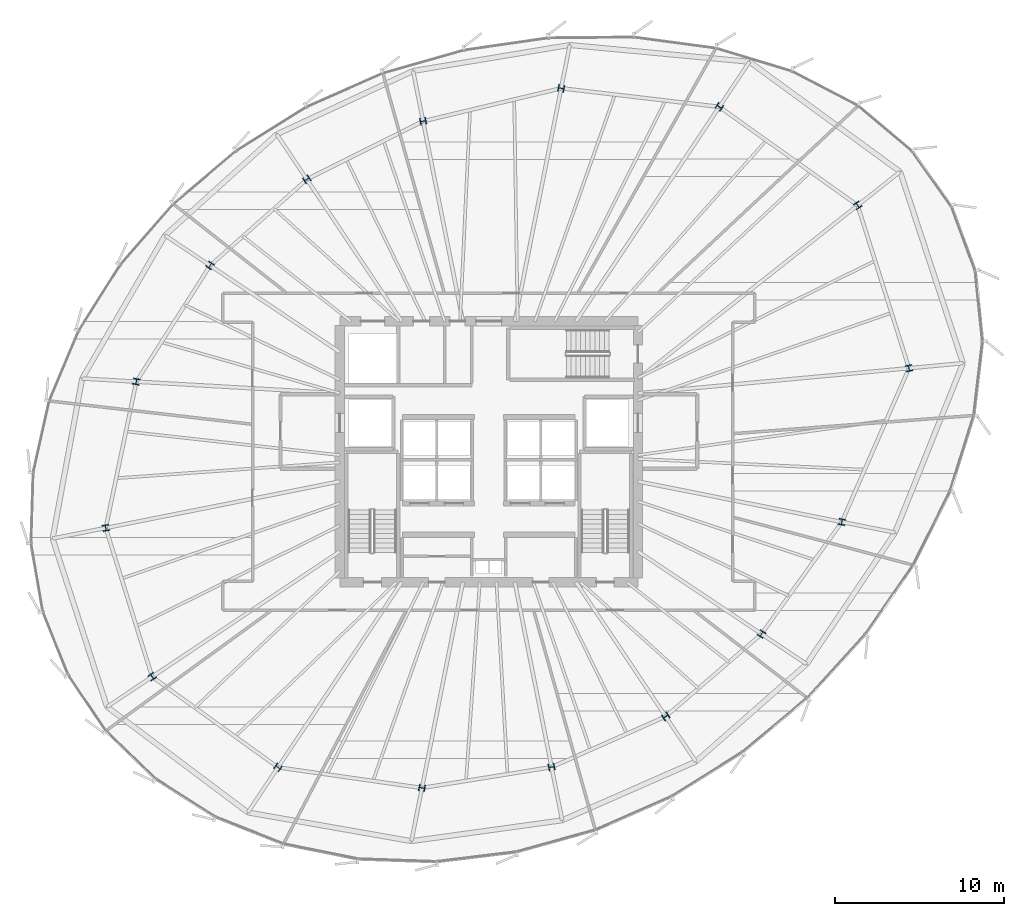
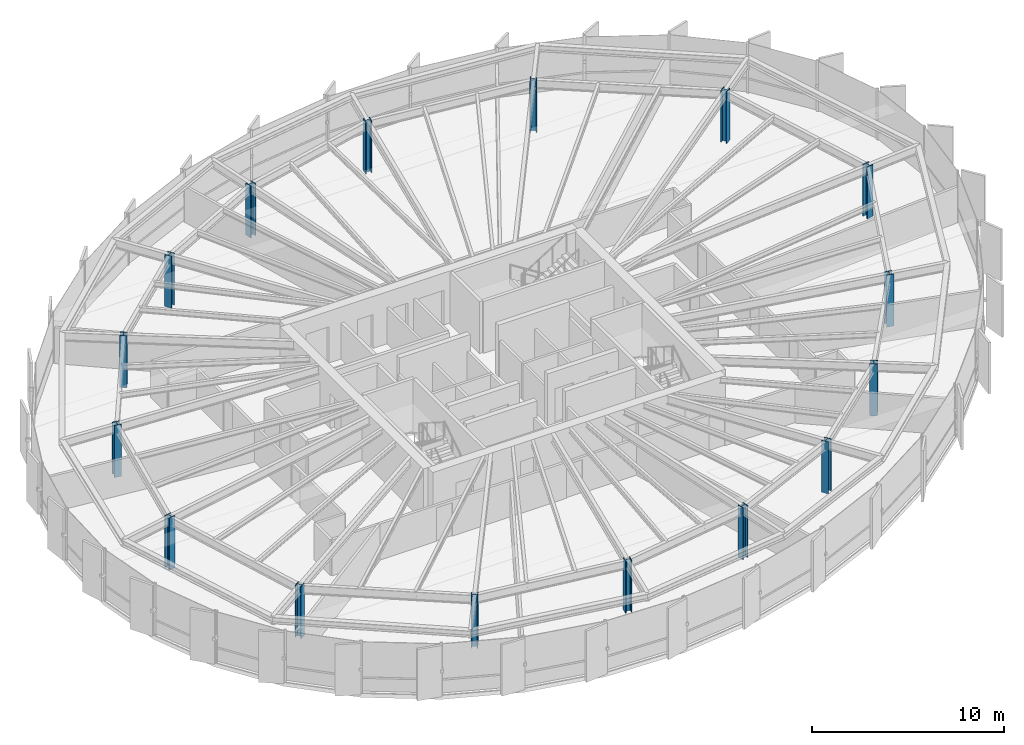
# One storey, part 1 of 35: 16 columns.
"""IFC4 building model written with IfcOpenShell, lengths in metres."""

import ifcopenshell
import ifcopenshell.guid

model = None  # the IFC model being written
_history = None  # IfcOwnerHistory: only IFC2X3 demands one
_inside = {}  # id of a spatial element -> (the spatial element, [elements in it])
_under = {}  # id of a project, library or spatial element -> (it, [spatial elements below it])
_declared = {}  # id of a project -> (the project, [libraries it declares])
_typed = {}  # id of a type object -> (the type object, [elements of that type])
_made_of = {}  # id of a material, layer set ... -> (it, [elements and type objects made of it])


def new_model(schema):
    """Start an empty IFC model of exactly this schema.

    Asked for "IFC4X3", IfcOpenShell would pick the latest addendum, in which some entities
    have other attributes; the version numbers below select the first issue.
    IFC2X3 requires an IfcOwnerHistory on every rooted entity: one is made here for all.
    """
    global model, _history
    if schema == "IFC4X3":
        model = ifcopenshell.file(schema_version=(4, 3, 0, 0))
    else:
        model = ifcopenshell.file(schema=schema)
    _inside.clear()
    _under.clear()
    _declared.clear()
    _typed.clear()
    _made_of.clear()
    _history = None
    if model.schema == "IFC2X3":
        org = make("IfcOrganization", Name="unknown")
        user = make(
            "IfcPersonAndOrganization",
            ThePerson=make("IfcPerson", FamilyName="unknown"),
            TheOrganization=org,
        )
        app = make(
            "IfcApplication",
            ApplicationDeveloper=org,
            Version="unknown",
            ApplicationFullName="unknown",
            ApplicationIdentifier="unknown",
        )
        _history = make(
            "IfcOwnerHistory",
            OwningUser=user,
            OwningApplication=app,
            ChangeAction="ADDED",
            CreationDate=0,
        )
    return model


def make(cls, **values):
    """One entity of the class cls with the attributes given. An attribute that is None is left unset."""
    return model.create_entity(
        cls, **{name: value for name, value in values.items() if value is not None}
    )


def rooted(cls, **values):
    """An entity with a GlobalId (a new one), such as an element, a storey or a relation."""
    return make(cls, GlobalId=ifcopenshell.guid.new(), OwnerHistory=_history, **values)


def si_unit(unit_type, name, prefix=None):
    """IfcSIUnit, for example si_unit("LENGTHUNIT", "METRE", prefix="MILLI")."""
    return make("IfcSIUnit", UnitType=unit_type, Prefix=prefix, Name=name)


def assignment(units):
    """IfcUnitAssignment: the units of a project."""
    return None if units is None else make("IfcUnitAssignment", Units=units)


def point(xyz):
    """IfcCartesianPoint."""
    return None if xyz is None else make("IfcCartesianPoint", Coordinates=xyz)


def direction(xyz):
    """IfcDirection."""
    return None if xyz is None else make("IfcDirection", DirectionRatios=xyz)


def frame(location, z_axis=None, x_axis=None):
    """IfcAxis2Placement3D, a coordinate frame: its origin and axes. An axis left out is left unset."""
    return make(
        "IfcAxis2Placement3D",
        Location=point(location),
        Axis=direction(z_axis),
        RefDirection=direction(x_axis),
    )


def frame_2d(location, x_axis=None):
    """IfcAxis2Placement2D, a coordinate frame in the plane: its origin and x axis."""
    return make(
        "IfcAxis2Placement2D", Location=point(location), RefDirection=direction(x_axis)
    )


def origin():
    """The frame at (0, 0, 0) with its axes left unset."""
    return frame((0.0, 0.0, 0.0))


def origin_2d():
    """The frame at (0, 0) in the plane with its x axis left unset."""
    return frame_2d((0.0, 0.0))


def place(relative_to, where):
    """IfcLocalPlacement: puts the frame where relative to a parent placement (None: the world)."""
    return make(
        "IfcLocalPlacement", PlacementRelTo=relative_to, RelativePlacement=where
    )


def context(
    kind, dimensions, precision=None, world=None, true_north=None, identifier=None
):
    """IfcGeometricRepresentationContext, for example the 3D "Model" context."""
    return make(
        "IfcGeometricRepresentationContext",
        ContextIdentifier=identifier,
        ContextType=kind,
        CoordinateSpaceDimension=dimensions,
        Precision=precision,
        WorldCoordinateSystem=world,
        TrueNorth=true_north,
    )


def subcontext(parent, identifier, kind, view, scale=None):
    """IfcGeometricRepresentationSubContext, for example "Body" below "Model"."""
    return make(
        "IfcGeometricRepresentationSubContext",
        ContextIdentifier=identifier,
        ContextType=kind,
        ParentContext=parent,
        TargetScale=scale,
        TargetView=view,
    )


def project(units=None, contexts=None):
    """IfcProject with its units and contexts."""
    return rooted(
        "IfcProject",
        Name="project",
        RepresentationContexts=contexts,
        UnitsInContext=assignment(units),
    )


def spatial(cls, under=None, at=None, **own):
    """A site, building, storey or space (cls), placed at a placement, below another one or the project."""
    s = rooted(cls, ObjectPlacement=at, **own)
    if under is not None:
        _under.setdefault(under.id(), (under, []))[1].append(s)
    return s


def profile(cls, at=None, kind="AREA", **sizes):
    """A parametric profile (cls). Its sizes go by their IFC names, for example OverallWidth=200.0."""
    return make(cls, ProfileType=kind, Position=at, **sizes)


def i_section(**sizes):
    """IfcIShapeProfileDef."""
    return profile("IfcIShapeProfileDef", **sizes)


def extrude(swept, where, along, depth):
    """IfcExtrudedAreaSolid: the profile swept, set in the frame where, extruded along a direction by depth."""
    return make(
        "IfcExtrudedAreaSolid",
        SweptArea=swept,
        Position=where,
        ExtrudedDirection=direction(along),
        Depth=depth,
    )


def shape(context_of_items, identifier, shape_type, items):
    """IfcShapeRepresentation: the items that make up one representation, for example the "Body"."""
    return make(
        "IfcShapeRepresentation",
        ContextOfItems=context_of_items,
        RepresentationIdentifier=identifier,
        RepresentationType=shape_type,
        Items=items,
    )


def source(mapping_origin, context_of_items, identifier, shape_type, items):
    """IfcRepresentationMap: a shape defined once, which mapped items show again and again."""
    return make(
        "IfcRepresentationMap",
        MappingOrigin=mapping_origin,
        MappedRepresentation=shape(context_of_items, identifier, shape_type, items),
    )


def transform(
    local_origin,
    x_axis=None,
    y_axis=None,
    z_axis=None,
    scale=None,
    scale2=None,
    scale3=None,
    uniform=True,
):
    """IfcCartesianTransformationOperator3D, or its non-uniform kind. x_axis, y_axis, z_axis: its Axis1, 2, 3."""
    if uniform:
        return make(
            "IfcCartesianTransformationOperator3D",
            Axis1=direction(x_axis),
            Axis2=direction(y_axis),
            LocalOrigin=point(local_origin),
            Scale=scale,
            Axis3=direction(z_axis),
        )
    return make(
        "IfcCartesianTransformationOperator3DnonUniform",
        Axis1=direction(x_axis),
        Axis2=direction(y_axis),
        LocalOrigin=point(local_origin),
        Scale=scale,
        Axis3=direction(z_axis),
        Scale2=scale2,
        Scale3=scale3,
    )


def mapped(mapping_source, mapping_target):
    """IfcMappedItem: shows the shape of a source again, moved by a transform."""
    return make(
        "IfcMappedItem", MappingSource=mapping_source, MappingTarget=mapping_target
    )


def material(Name=None, Category=None):
    """IfcMaterial."""
    return make("IfcMaterial", Name=Name, Category=Category)


def material_profile(
    of_material, cross_section, Name=None, Category=None, Priority=None
):
    """IfcMaterialProfile: a cross section and its material."""
    return make(
        "IfcMaterialProfile",
        Name=Name,
        Material=of_material,
        Profile=cross_section,
        Priority=Priority,
        Category=Category,
    )


def profile_set(profiles, Name=None, composite=None):
    """IfcMaterialProfileSet."""
    return make(
        "IfcMaterialProfileSet",
        Name=Name,
        MaterialProfiles=profiles,
        CompositeProfile=composite,
    )


def made_of(thing, what):
    """Note that an element or type object is made of a material, layer set ...; save() writes the relation."""
    if what is not None:
        _made_of.setdefault(what.id(), (what, []))[1].append(thing)
    return thing


def type_object(cls, material=None, **own):
    """A type object (cls), such as IfcWallType, which elements share."""
    return made_of(rooted(cls, **own), material)


def element(
    cls,
    number,
    at=None,
    inside=None,
    cuts=None,
    type_object=None,
    material=None,
    context=None,
    identifier="Body",
    shape_type=None,
    held_by="IfcProductDefinitionShape",
    body=None,
    shapes=None,
    **own,
):
    """One element of the class cls, such as IfcWall. Its Tag is "e" and its number.

    at: its placement. inside: the storey or other place that contains it. cuts: it is an
    opening in that element (IfcRelVoidsElement). A single representation is given by context,
    identifier, shape_type and body (its items); several are given by shapes. held_by: the class
    of the entity that holds the representations. save() writes the other relations.
    """
    e = rooted(cls, Tag="e%d" % number, ObjectPlacement=at, **own)
    if body is not None:
        shapes = [shape(context, identifier, shape_type, body)]
    if shapes is not None:
        e.Representation = make(held_by, Representations=shapes)
    if inside is not None:
        _inside.setdefault(inside.id(), (inside, []))[1].append(e)
    if cuts is not None:
        rooted(
            "IfcRelVoidsElement", RelatingBuildingElement=cuts, RelatedOpeningElement=e
        )
    if type_object is not None:
        _typed.setdefault(type_object.id(), (type_object, []))[1].append(e)
    return made_of(e, material)


def aggregate(whole, parts):
    """IfcRelAggregates: a whole, such as a stair, and the parts it consists of."""
    return rooted("IfcRelAggregates", RelatingObject=whole, RelatedObjects=parts)


def save(model, path):
    """Write the relations noted so far, then the file.

    IfcRelAggregates (storeys below a building ...), IfcRelContainedInSpatialStructure (elements
    in a storey), IfcRelDefinesByType, IfcRelAssociatesMaterial and IfcRelDeclares: one each for
    every whole, place, type object, material and project.
    """
    for whole, parts in _under.values():
        aggregate(whole, parts)
    for where, things in _inside.values():
        rooted(
            "IfcRelContainedInSpatialStructure",
            RelatedElements=things,
            RelatingStructure=where,
        )
    for kind, things in _typed.values():
        rooted("IfcRelDefinesByType", RelatedObjects=things, RelatingType=kind)
    for what, things in _made_of.values():
        rooted("IfcRelAssociatesMaterial", RelatedObjects=things, RelatingMaterial=what)
    for by, libraries in _declared.values():
        rooted("IfcRelDeclares", RelatingContext=by, RelatedDefinitions=libraries)
    model.write(path)


model = new_model("IFC4")

# Units and contexts
model_context = context("Model", 3, precision=1e-05, world=origin(), true_north=direction((0.0, 1.0)))
body_context = subcontext(model_context, "Body", "Model", "MODEL_VIEW")
ifc_project = project(units=[si_unit("LENGTHUNIT", "METRE"), si_unit("AREAUNIT", "SQUARE_METRE"), si_unit("VOLUMEUNIT", "CUBIC_METRE"), si_unit("PLANEANGLEUNIT", "RADIAN"), si_unit("MASSUNIT", "GRAM", prefix="KILO"), si_unit("THERMODYNAMICTEMPERATUREUNIT", "KELVIN")], contexts=[model_context])

# Site, building, storey
site_placement = place(None, origin())
site = spatial("IfcSite", under=ifc_project, at=site_placement, CompositionType="ELEMENT")
building_placement = place(site_placement, origin())
building = spatial("IfcBuilding", under=site, at=building_placement, Name="Kethvar Cultural Tower", CompositionType="ELEMENT")
storey_placement = place(building_placement, frame((0.0, 0.0, 146.550048828125)))
storey = spatial("IfcBuildingStorey", under=building, at=storey_placement, Name="L37", CompositionType="ELEMENT", Elevation=146.550048828125)

# Columns
ifc_material = material(Name="Steel S460M", Category="steel")
ifc_material_profile = material_profile(ifc_material, i_section(OverallWidth=0.39697265625, OverallDepth=0.364990234375, WebThickness=0.028076171875, FlangeThickness=0.0439453125, FilletRadius=0.014892578125, at=origin_2d()), Name="Steel S460M — HD400x592")
ifc_profile_set = profile_set([ifc_material_profile], Name="Steel S460M — HD400x592")
column_type = type_object("IfcColumnType", Name="COL-HD592", PredefinedType="COLUMN", material=ifc_profile_set)
shared_shape = source(origin(), body_context, "Body", "SweptSolid", [
    extrude(i_section(OverallWidth=0.39697265625, OverallDepth=0.364990234375, WebThickness=0.028076171875, FlangeThickness=0.0439453125, FilletRadius=0.014892578125, at=origin_2d()), origin(), (0.0, 0.0, 1.0), 3.300048828125),
])
for number, where, z_axis, x_axis, name in (
    (1, (71.6025390625, 32.7333984375, 0.0), (0.0, 0.0, 1.0), (0.980785280403, 0.195090322016, 0.0), "L37 Mega-Column MC-01"),
    (2, (68.568603515625, 42.34521484375, 0.0), (0.0, 0.0, 1.0), (0.831469612303, 0.55557023302, 0.0), "L37 Mega-Column MC-02"),
    (3, (60.40478515625, 48.160888671875, 0.0), (0.0, 0.0, 1.0), (0.55557023302, 0.831469612303, 0.0), "L37 Mega-Column MC-03"),
    (4, (51.068603515625, 49.25927734375, 0.0), (0.0, 0.0, 1.0), (0.195090322016, 0.980785280403, 0.0), "L37 Mega-Column MC-04"),
    (5, (42.9189453125, 47.311279296875, 0.0), (0.0, 0.0, 1.0), (-0.195090322016, 0.980785280403, 0.0), "L37 Mega-Column MC-05"),
    (6, (36.0576171875, 43.877197265625, 0.0), (0.0, 0.0, 1.0), (-0.55557023302, 0.831469612303, 0.0), "L37 Mega-Column MC-06"),
    (7, (30.345947265625, 38.794189453125, 0.0), (0.0, 0.0, 1.0), (-0.831469612303, 0.55557023302, 0.0), "L37 Mega-Column MC-07"),
    (8, (25.988525390625, 31.939697265625, 0.0), (0.0, 0.0, 1.0), (-0.980785280403, 0.195090322016, 0.0), "L37 Mega-Column MC-08"),
    (9, (24.185302734375, 23.3017578125, 0.0), (0.0, 0.0, 1.0), (-0.980785280403, -0.195090322016, 0.0), "L37 Mega-Column MC-09"),
    (10, (26.920654296875, 14.51708984375, 0.0), (0.0, 0.0, 1.0), (-0.831469612303, -0.55557023302, 0.0), "L37 Mega-Column MC-10"),
    (11, (34.350830078125, 9.16845703125, 0.0), (0.0, 0.0, 1.0), (-0.55557023302, -0.831469612303, 0.0), "L37 Mega-Column MC-11"),
    (12, (42.852294921875, 7.95361328125, 0.0), (0.0, 0.0, 1.0), (-0.195090322016, -0.980785280403, 0.0), "L37 Mega-Column MC-12"),
    (13, (50.50341796875, 9.182373046875, 0.0), (0.0, 0.0, 1.0), (0.195090322016, -0.980785280403, 0.0), "L37 Mega-Column MC-13"),
    (14, (57.241943359375, 12.17236328125, 0.0), (0.0, 0.0, 1.0), (0.55557023302, -0.831469612303, 0.0), "L37 Mega-Column MC-14"),
    (15, (62.898681640625, 17.043212890625, 0.0), (0.0, 0.0, 1.0), (0.831469612303, -0.55557023302, 0.0), "L37 Mega-Column MC-15"),
    (16, (67.638671875, 23.65478515625, 0.0), (0.0, 0.0, 1.0), (0.980785280403, -0.195090322016, 0.0), "L37 Mega-Column MC-16"),
):
    element("IfcColumn", number, at=place(storey_placement, frame(where, z_axis=z_axis, x_axis=x_axis)), inside=storey, type_object=column_type, Name=name, PredefinedType="COLUMN", context=body_context, shape_type="MappedRepresentation", body=[
        mapped(shared_shape, transform((0.0, 0.0, 0.0), scale=1.0)),
    ])

save(model, "model.ifc")
